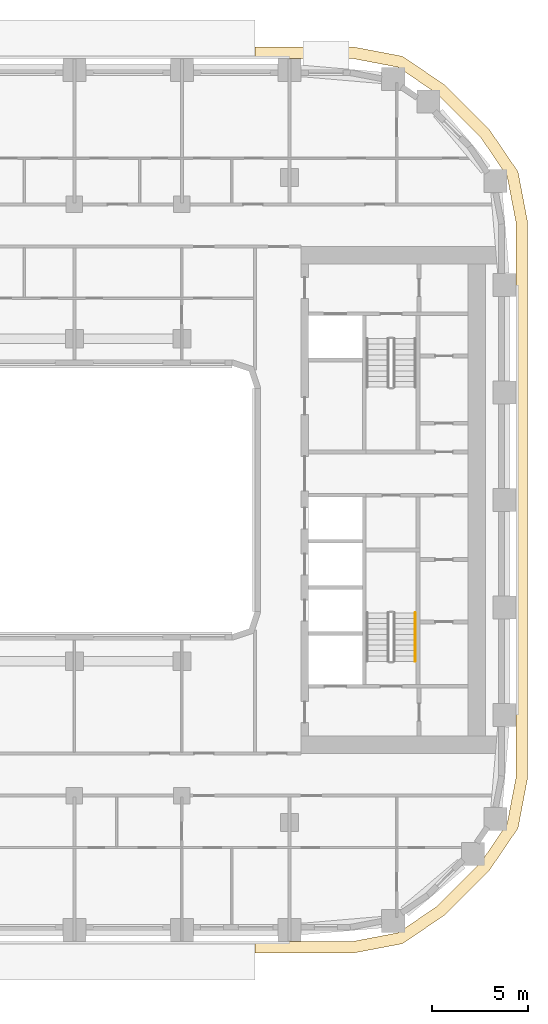
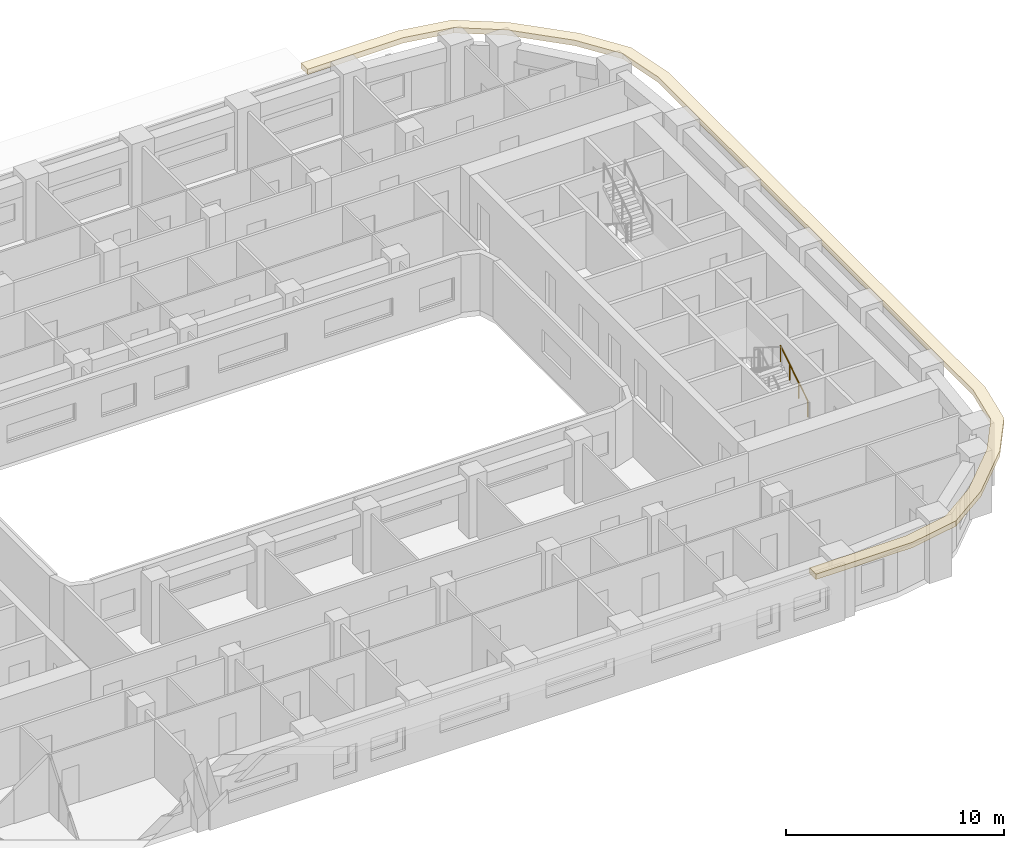
# One storey, part 17 of 21: 1 covering, 1 railing.
"""IFC4 building model written with IfcOpenShell, lengths in metres."""

import ifcopenshell
import ifcopenshell.guid

model = None  # the IFC model being written
_history = None  # IfcOwnerHistory: only IFC2X3 demands one
_inside = {}  # id of a spatial element -> (the spatial element, [elements in it])
_under = {}  # id of a project, library or spatial element -> (it, [spatial elements below it])
_declared = {}  # id of a project -> (the project, [libraries it declares])
_typed = {}  # id of a type object -> (the type object, [elements of that type])
_made_of = {}  # id of a material, layer set ... -> (it, [elements and type objects made of it])


def new_model(schema):
    """Start an empty IFC model of exactly this schema.

    Asked for "IFC4X3", IfcOpenShell would pick the latest addendum, in which some entities
    have other attributes; the version numbers below select the first issue.
    IFC2X3 requires an IfcOwnerHistory on every rooted entity: one is made here for all.
    """
    global model, _history
    if schema == "IFC4X3":
        model = ifcopenshell.file(schema_version=(4, 3, 0, 0))
    else:
        model = ifcopenshell.file(schema=schema)
    _inside.clear()
    _under.clear()
    _declared.clear()
    _typed.clear()
    _made_of.clear()
    _history = None
    if model.schema == "IFC2X3":
        org = make("IfcOrganization", Name="unknown")
        user = make(
            "IfcPersonAndOrganization",
            ThePerson=make("IfcPerson", FamilyName="unknown"),
            TheOrganization=org,
        )
        app = make(
            "IfcApplication",
            ApplicationDeveloper=org,
            Version="unknown",
            ApplicationFullName="unknown",
            ApplicationIdentifier="unknown",
        )
        _history = make(
            "IfcOwnerHistory",
            OwningUser=user,
            OwningApplication=app,
            ChangeAction="ADDED",
            CreationDate=0,
        )
    return model


def make(cls, **values):
    """One entity of the class cls with the attributes given. An attribute that is None is left unset."""
    return model.create_entity(
        cls, **{name: value for name, value in values.items() if value is not None}
    )


def rooted(cls, **values):
    """An entity with a GlobalId (a new one), such as an element, a storey or a relation."""
    return make(cls, GlobalId=ifcopenshell.guid.new(), OwnerHistory=_history, **values)


def si_unit(unit_type, name, prefix=None):
    """IfcSIUnit, for example si_unit("LENGTHUNIT", "METRE", prefix="MILLI")."""
    return make("IfcSIUnit", UnitType=unit_type, Prefix=prefix, Name=name)


def assignment(units):
    """IfcUnitAssignment: the units of a project."""
    return None if units is None else make("IfcUnitAssignment", Units=units)


def point(xyz):
    """IfcCartesianPoint."""
    return None if xyz is None else make("IfcCartesianPoint", Coordinates=xyz)


def direction(xyz):
    """IfcDirection."""
    return None if xyz is None else make("IfcDirection", DirectionRatios=xyz)


def frame(location, z_axis=None, x_axis=None):
    """IfcAxis2Placement3D, a coordinate frame: its origin and axes. An axis left out is left unset."""
    return make(
        "IfcAxis2Placement3D",
        Location=point(location),
        Axis=direction(z_axis),
        RefDirection=direction(x_axis),
    )


def frame_2d(location, x_axis=None):
    """IfcAxis2Placement2D, a coordinate frame in the plane: its origin and x axis."""
    return make(
        "IfcAxis2Placement2D", Location=point(location), RefDirection=direction(x_axis)
    )


def origin():
    """The frame at (0, 0, 0) with its axes left unset."""
    return frame((0.0, 0.0, 0.0))


def origin_2d():
    """The frame at (0, 0) in the plane with its x axis left unset."""
    return frame_2d((0.0, 0.0))


def place(relative_to, where):
    """IfcLocalPlacement: puts the frame where relative to a parent placement (None: the world)."""
    return make(
        "IfcLocalPlacement", PlacementRelTo=relative_to, RelativePlacement=where
    )


def context(
    kind, dimensions, precision=None, world=None, true_north=None, identifier=None
):
    """IfcGeometricRepresentationContext, for example the 3D "Model" context."""
    return make(
        "IfcGeometricRepresentationContext",
        ContextIdentifier=identifier,
        ContextType=kind,
        CoordinateSpaceDimension=dimensions,
        Precision=precision,
        WorldCoordinateSystem=world,
        TrueNorth=true_north,
    )


def subcontext(parent, identifier, kind, view, scale=None):
    """IfcGeometricRepresentationSubContext, for example "Body" below "Model"."""
    return make(
        "IfcGeometricRepresentationSubContext",
        ContextIdentifier=identifier,
        ContextType=kind,
        ParentContext=parent,
        TargetScale=scale,
        TargetView=view,
    )


def project(units=None, contexts=None):
    """IfcProject with its units and contexts."""
    return rooted(
        "IfcProject",
        Name="project",
        RepresentationContexts=contexts,
        UnitsInContext=assignment(units),
    )


def spatial(cls, under=None, at=None, **own):
    """A site, building, storey or space (cls), placed at a placement, below another one or the project."""
    s = rooted(cls, ObjectPlacement=at, **own)
    if under is not None:
        _under.setdefault(under.id(), (under, []))[1].append(s)
    return s


def polyline(points):
    """IfcPolyline through the points."""
    return make("IfcPolyline", Points=[point(p) for p in points])


def profile(cls, at=None, kind="AREA", **sizes):
    """A parametric profile (cls). Its sizes go by their IFC names, for example OverallWidth=200.0."""
    return make(cls, ProfileType=kind, Position=at, **sizes)


def circle(**sizes):
    """IfcCircleProfileDef."""
    return profile("IfcCircleProfileDef", **sizes)


def outline(outer, holes=None, kind="AREA"):
    """IfcArbitraryClosedProfileDef: a profile drawn as a closed curve; with holes, ...WithVoids."""
    if holes is None:
        return make("IfcArbitraryClosedProfileDef", ProfileType=kind, OuterCurve=outer)
    return make(
        "IfcArbitraryProfileDefWithVoids",
        ProfileType=kind,
        OuterCurve=outer,
        InnerCurves=holes,
    )


def extrude(swept, where, along, depth):
    """IfcExtrudedAreaSolid: the profile swept, set in the frame where, extruded along a direction by depth."""
    return make(
        "IfcExtrudedAreaSolid",
        SweptArea=swept,
        Position=where,
        ExtrudedDirection=direction(along),
        Depth=depth,
    )


def shape(context_of_items, identifier, shape_type, items):
    """IfcShapeRepresentation: the items that make up one representation, for example the "Body"."""
    return make(
        "IfcShapeRepresentation",
        ContextOfItems=context_of_items,
        RepresentationIdentifier=identifier,
        RepresentationType=shape_type,
        Items=items,
    )


def material(Name=None, Category=None):
    """IfcMaterial."""
    return make("IfcMaterial", Name=Name, Category=Category)


def layer(
    of_material, thickness, ventilated=None, Name=None, Category=None, Priority=None
):
    """IfcMaterialLayer: one layer of a wall or slab, of a material (None: an air gap)."""
    return make(
        "IfcMaterialLayer",
        Material=of_material,
        LayerThickness=thickness,
        IsVentilated=ventilated,
        Name=Name,
        Category=Category,
        Priority=Priority,
    )


def layer_set(layers, Name=None):
    """IfcMaterialLayerSet."""
    return make("IfcMaterialLayerSet", MaterialLayers=layers, LayerSetName=Name)


def made_of(thing, what):
    """Note that an element or type object is made of a material, layer set ...; save() writes the relation."""
    if what is not None:
        _made_of.setdefault(what.id(), (what, []))[1].append(thing)
    return thing


def type_object(cls, material=None, **own):
    """A type object (cls), such as IfcWallType, which elements share."""
    return made_of(rooted(cls, **own), material)


def element(
    cls,
    number,
    at=None,
    inside=None,
    cuts=None,
    type_object=None,
    material=None,
    context=None,
    identifier="Body",
    shape_type=None,
    held_by="IfcProductDefinitionShape",
    body=None,
    shapes=None,
    **own,
):
    """One element of the class cls, such as IfcWall. Its Tag is "e" and its number.

    at: its placement. inside: the storey or other place that contains it. cuts: it is an
    opening in that element (IfcRelVoidsElement). A single representation is given by context,
    identifier, shape_type and body (its items); several are given by shapes. held_by: the class
    of the entity that holds the representations. save() writes the other relations.
    """
    e = rooted(cls, Tag="e%d" % number, ObjectPlacement=at, **own)
    if body is not None:
        shapes = [shape(context, identifier, shape_type, body)]
    if shapes is not None:
        e.Representation = make(held_by, Representations=shapes)
    if inside is not None:
        _inside.setdefault(inside.id(), (inside, []))[1].append(e)
    if cuts is not None:
        rooted(
            "IfcRelVoidsElement", RelatingBuildingElement=cuts, RelatedOpeningElement=e
        )
    if type_object is not None:
        _typed.setdefault(type_object.id(), (type_object, []))[1].append(e)
    return made_of(e, material)


def aggregate(whole, parts):
    """IfcRelAggregates: a whole, such as a stair, and the parts it consists of."""
    return rooted("IfcRelAggregates", RelatingObject=whole, RelatedObjects=parts)


def save(model, path):
    """Write the relations noted so far, then the file.

    IfcRelAggregates (storeys below a building ...), IfcRelContainedInSpatialStructure (elements
    in a storey), IfcRelDefinesByType, IfcRelAssociatesMaterial and IfcRelDeclares: one each for
    every whole, place, type object, material and project.
    """
    for whole, parts in _under.values():
        aggregate(whole, parts)
    for where, things in _inside.values():
        rooted(
            "IfcRelContainedInSpatialStructure",
            RelatedElements=things,
            RelatingStructure=where,
        )
    for kind, things in _typed.values():
        rooted("IfcRelDefinesByType", RelatedObjects=things, RelatingType=kind)
    for what, things in _made_of.values():
        rooted("IfcRelAssociatesMaterial", RelatedObjects=things, RelatingMaterial=what)
    for by, libraries in _declared.values():
        rooted("IfcRelDeclares", RelatingContext=by, RelatedDefinitions=libraries)
    model.write(path)


model = new_model("IFC4")

# Units and contexts
model_context = context("Model", 3, precision=1e-05, world=origin(), true_north=direction((0.0, 1.0)))
body_context = subcontext(model_context, "Body", "Model", "MODEL_VIEW")
ifc_project = project(units=[si_unit("LENGTHUNIT", "METRE"), si_unit("AREAUNIT", "SQUARE_METRE"), si_unit("VOLUMEUNIT", "CUBIC_METRE"), si_unit("PLANEANGLEUNIT", "RADIAN"), si_unit("MASSUNIT", "GRAM", prefix="KILO")], contexts=[model_context])

# Site, building, storey
site_placement = place(None, origin())
site = spatial("IfcSite", under=ifc_project, at=site_placement, CompositionType="ELEMENT")
building_placement = place(site_placement, origin())
building = spatial("IfcBuilding", under=site, at=building_placement, Name="Kiln Ring Residences", CompositionType="ELEMENT")
storey_placement = place(building_placement, frame((0.0, 0.0, 114.800048828125)))
storey = spatial("IfcBuildingStorey", under=building, at=storey_placement, Name="L29", CompositionType="ELEMENT", Elevation=114.800048828125)

# Railing
ifc_material_1 = material(Name="Stainless steel", Category="steel")
railing_type = type_object("IfcRailingType", Name="CORE-STAIR-HANDRAIL", PredefinedType="HANDRAIL", material=ifc_material_1)
railing_placement = place(storey_placement, frame((23.35009765625, -8.39990234375, 0.175048828125)))
element("IfcRailing", 1, at=railing_placement, inside=storey, type_object=railing_type, Name="L29 E-STS stair handrail 1", PredefinedType="HANDRAIL", context=body_context, shape_type="SweptSolid", body=[
    extrude(circle(Radius=0.02392578125, at=origin_2d()), frame((0.0, 0.0, 0.8759765625), z_axis=(0.0, 0.848007534815, 0.529984170421), x_axis=(-1.0, 0.0, 0.0)), (0.0, 0.0, 1.0), 2.9716796875),
    extrude(circle(Radius=0.02099609375, at=origin_2d()), origin(), (0.0, 0.0, 1.0), 0.851806640625),
    extrude(circle(Radius=0.02099609375, at=origin_2d()), frame((0.0, 0.840087890625, 0.52490234375)), (0.0, 0.0, 1.0), 0.851806640625),
    extrude(circle(Radius=0.02099609375, at=origin_2d()), frame((0.0, 1.679931640625, 1.050048828125)), (0.0, 0.0, 1.0), 0.851806640625),
    extrude(circle(Radius=0.02099609375, at=origin_2d()), frame((0.0, 2.52001953125, 1.574951171875)), (0.0, 0.0, 1.0), 0.851806640625),
])

# Covering
ifc_material_2 = material(Name="Black powder-coated steel", Category="steel")
ifc_layer = layer(ifc_material_2, 0.300048828125)
ifc_layer_set = layer_set([ifc_layer], Name="SUNSHADE FIN 600")
covering_type = type_object("IfcCoveringType", Name="SUNSHADE FIN 600", PredefinedType="CLADDING", material=ifc_layer_set)
covering_placement = place(storey_placement, frame((0.0, 0.0, 3.199951171875)))
element("IfcCovering", 2, at=covering_placement, inside=storey, type_object=covering_type, Name="SUNSHADE FIN L29", PredefinedType="CLADDING", context=body_context, shape_type="SweptSolid", body=[
    extrude(outline(polyline([(20.11328125, 23.60009765625), (15.0, 23.60009765625), (15.0, 23.0), (20.056640625, 23.0), (22.458740234375, 22.541748046875), (24.481201171875, 21.167236328125), (26.767333984375, 18.881103515625), (28.141845703125, 16.858642578125), (28.60009765625, 14.456787109375), (28.60009765625, -14.456787109375), (28.141845703125, -16.858642578125), (26.767333984375, -18.881103515625), (24.481201171875, -21.167236328125), (22.458740234375, -22.541748046875), (20.056640625, -23.0), (15.0, -23.0), (15.0, -23.60009765625), (20.11328125, -23.60009765625), (22.693115234375, -23.10791015625), (24.865478515625, -21.631591796875), (27.231689453125, -19.265380859375), (28.7080078125, -17.09326171875), (29.199951171875, -14.513427734375), (29.199951171875, 14.513427734375), (28.7080078125, 17.09326171875), (27.231689453125, 19.265380859375), (24.865478515625, 21.631591796875), (22.693115234375, 23.10791015625), (20.11328125, 23.60009765625)])), origin(), (0.0, 0.0, 1.0), 0.300048828125),
])

save(model, "model.ifc")
